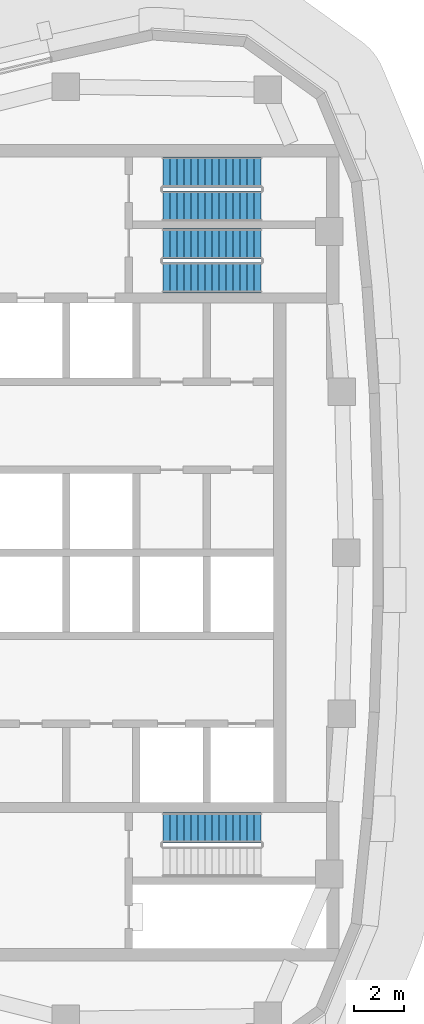
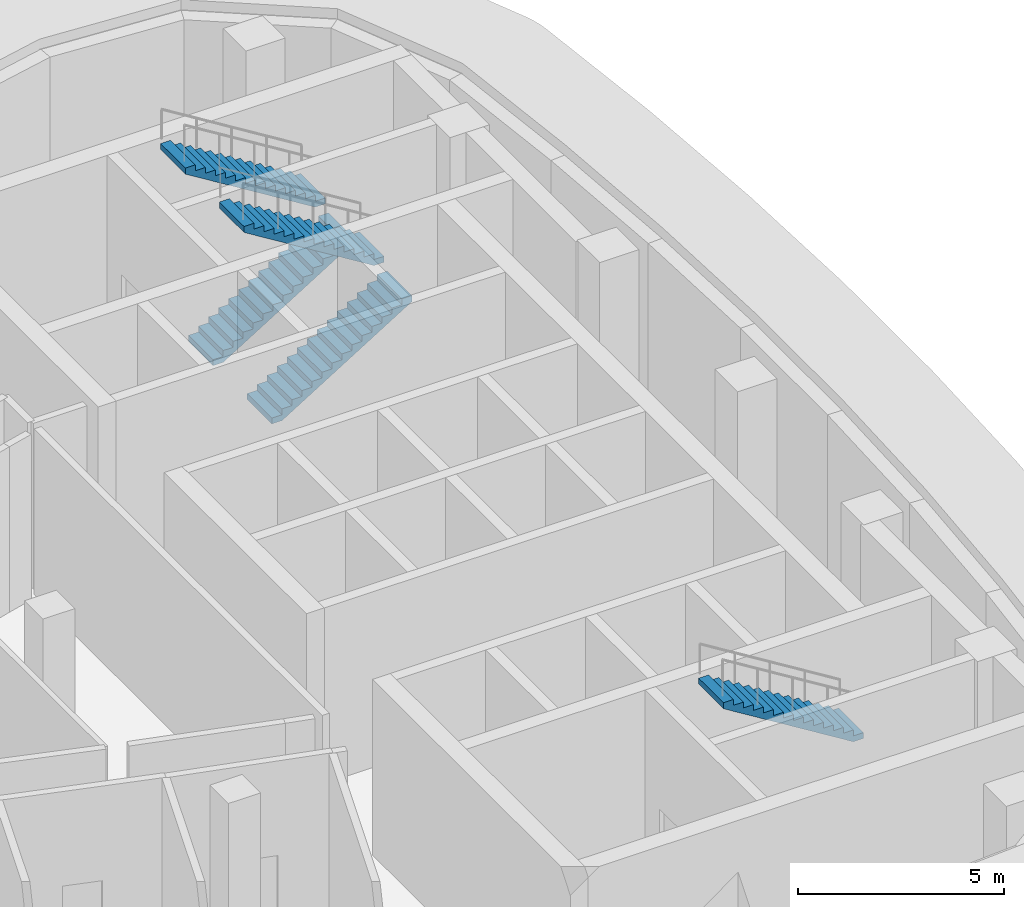
# One storey, part 10 of 14: 5 stair flights, 3 elements without a shape of their own.
"""IFC4 building model written with IfcOpenShell, lengths in metres."""

from ifc_helpers import new_model, si_unit, direction, frame, origin, place, context, subcontext, project, spatial, polyline, outline, extrude, material, type_object, element, aggregate, save


model = new_model("IFC4")

# Units and contexts
model_context = context("Model", 3, precision=1e-05, world=origin(), true_north=direction((0.0, 1.0)))
body_context = subcontext(model_context, "Body", "Model", "MODEL_VIEW")
ifc_project = project(units=[si_unit("LENGTHUNIT", "METRE"), si_unit("AREAUNIT", "SQUARE_METRE"), si_unit("VOLUMEUNIT", "CUBIC_METRE"), si_unit("PLANEANGLEUNIT", "RADIAN"), si_unit("MASSUNIT", "GRAM", prefix="KILO")], contexts=[model_context])

# Site, building, storey
site_placement = place(None, origin())
site = spatial("IfcSite", under=ifc_project, at=site_placement, CompositionType="ELEMENT")
building_placement = place(site_placement, origin())
building = spatial("IfcBuilding", under=site, at=building_placement, Name="Ostrand Prow Hotel Tower", CompositionType="ELEMENT")
storey_placement = place(building_placement, frame((0.0, 0.0, 303.39990234375)))
storey = spatial("IfcBuildingStorey", under=building, at=storey_placement, Name="L77", CompositionType="ELEMENT", Elevation=303.39990234375)

# Stair, stair flights
ifc_material_1 = material(Name="Concrete C40/50", Category="concrete")
stair_type = type_object("IfcStairType", Name="Exit stair 1200 upper zone", PredefinedType="HALF_TURN_STAIR", material=ifc_material_1)
stair_1_placement = place(storey_placement, origin())
stair_1 = element("IfcStair", 1, at=stair_1_placement, inside=storey, type_object=stair_type, Name="L77 ST1C", PredefinedType="HALF_TURN_STAIR")
ifc_material_2 = material(Name="Concrete C40/50", Category="concrete")
stair_flight_type = type_object("IfcStairFlightType", Name="Stair flight 1200 concrete", PredefinedType="STRAIGHT", material=ifc_material_2)
stair_flight_1_placement = place(storey_placement, frame((57.199951171875, 10.949951171875, 0.0), z_axis=(0.0, 0.0, 1.0), x_axis=(1.0, 0.0, 0.0)))
stair_flight_1 = element("IfcStairFlight", 2, at=stair_flight_1_placement, type_object=stair_flight_type, Name="ST1C flight 1", NumberOfRisers=15, NumberOfTreads=14, PredefinedType="STRAIGHT", RiserHeight=0.173333333, TreadLength=0.28, context=body_context, shape_type="SweptSolid", body=[
    extrude(outline(polyline([(0.0, 0.0), (0.0, 0.17333984375), (0.280029296875, 0.17333984375), (0.280029296875, 0.3466796875), (0.56005859375, 0.3466796875), (0.56005859375, 0.52001953125), (0.840087890625, 0.52001953125), (0.840087890625, 0.693359375), (1.1201171875, 0.693359375), (1.1201171875, 0.86669921875), (1.39990234375, 0.86669921875), (1.39990234375, 1.0400390625), (1.679931640625, 1.0400390625), (1.679931640625, 1.21337890625), (1.9599609375, 1.21337890625), (1.9599609375, 1.38671875), (2.239990234375, 1.38671875), (2.239990234375, 1.56005859375), (2.52001953125, 1.56005859375), (2.52001953125, 1.7333984375), (2.800048828125, 1.7333984375), (2.800048828125, 1.90673828125), (3.080078125, 1.90673828125), (3.080078125, 2.080078125), (3.360107421875, 2.080078125), (3.360107421875, 2.25341796875), (3.639892578125, 2.25341796875), (3.639892578125, 2.4267578125), (3.919921875, 2.4267578125), (3.919921875, 2.60009765625), (3.919921875, 2.250244140625), (0.284912109375, 0.0), (0.0, 0.0)])), frame((0.0, 0.60009765625, 0.0), z_axis=(0.0, -1.0, 0.0), x_axis=(1.0, 0.0, 0.0)), (0.0, 0.0, 1.0), 1.199951171875),
])
stair_flight_2_placement = place(storey_placement, frame((61.1201171875, 12.300048828125, 2.60009765625), z_axis=(0.0, 0.0, 1.0), x_axis=(-1.0, 0.0, 0.0)))
stair_flight_2 = element("IfcStairFlight", 3, at=stair_flight_2_placement, type_object=stair_flight_type, Name="ST1C flight 2", NumberOfRisers=15, NumberOfTreads=14, PredefinedType="STRAIGHT", RiserHeight=0.173333333, TreadLength=0.28, context=body_context, shape_type="SweptSolid", body=[
    extrude(outline(polyline([(0.0, 0.0), (0.0, 0.17333984375), (0.280029296875, 0.17333984375), (0.280029296875, 0.3466796875), (0.56005859375, 0.3466796875), (0.56005859375, 0.52001953125), (0.840087890625, 0.52001953125), (0.840087890625, 0.693359375), (1.1201171875, 0.693359375), (1.1201171875, 0.86669921875), (1.39990234375, 0.86669921875), (1.39990234375, 1.0400390625), (1.679931640625, 1.0400390625), (1.679931640625, 1.21337890625), (1.9599609375, 1.21337890625), (1.9599609375, 1.38671875), (2.239990234375, 1.38671875), (2.239990234375, 1.56005859375), (2.52001953125, 1.56005859375), (2.52001953125, 1.7333984375), (2.800048828125, 1.7333984375), (2.800048828125, 1.90673828125), (3.080078125, 1.90673828125), (3.080078125, 2.080078125), (3.360107421875, 2.080078125), (3.360107421875, 2.25341796875), (3.639892578125, 2.25341796875), (3.639892578125, 2.4267578125), (3.919921875, 2.4267578125), (3.919921875, 2.60009765625), (3.919921875, 2.250244140625), (0.284912109375, 0.0), (0.0, 0.0)])), frame((0.0, 0.60009765625, 0.0), z_axis=(0.0, -1.0, 0.0), x_axis=(1.0, 0.0, 0.0)), (0.0, 0.0, 1.0), 1.199951171875),
])
aggregate(stair_1, [stair_flight_1, stair_flight_2])

stair_2_placement = place(storey_placement, origin())
stair_2 = element("IfcStair", 4, at=stair_2_placement, inside=storey, type_object=stair_type, Name="L77 ST3C", PredefinedType="HALF_TURN_STAIR")
stair_flight_3_placement = place(storey_placement, frame((57.199951171875, 13.800048828125, 0.0), z_axis=(0.0, 0.0, 1.0), x_axis=(1.0, 0.0, 0.0)))
stair_flight_3 = element("IfcStairFlight", 5, at=stair_flight_3_placement, type_object=stair_flight_type, Name="ST3C flight 1", NumberOfRisers=15, NumberOfTreads=14, PredefinedType="STRAIGHT", RiserHeight=0.173333333, TreadLength=0.28, context=body_context, shape_type="SweptSolid", body=[
    extrude(outline(polyline([(0.0, 0.0), (0.0, 0.17333984375), (0.280029296875, 0.17333984375), (0.280029296875, 0.3466796875), (0.56005859375, 0.3466796875), (0.56005859375, 0.52001953125), (0.840087890625, 0.52001953125), (0.840087890625, 0.693359375), (1.1201171875, 0.693359375), (1.1201171875, 0.86669921875), (1.39990234375, 0.86669921875), (1.39990234375, 1.0400390625), (1.679931640625, 1.0400390625), (1.679931640625, 1.21337890625), (1.9599609375, 1.21337890625), (1.9599609375, 1.38671875), (2.239990234375, 1.38671875), (2.239990234375, 1.56005859375), (2.52001953125, 1.56005859375), (2.52001953125, 1.7333984375), (2.800048828125, 1.7333984375), (2.800048828125, 1.90673828125), (3.080078125, 1.90673828125), (3.080078125, 2.080078125), (3.360107421875, 2.080078125), (3.360107421875, 2.25341796875), (3.639892578125, 2.25341796875), (3.639892578125, 2.4267578125), (3.919921875, 2.4267578125), (3.919921875, 2.60009765625), (3.919921875, 2.250244140625), (0.284912109375, 0.0), (0.0, 0.0)])), frame((0.0, 0.60009765625, 0.0), z_axis=(0.0, -1.0, 0.0), x_axis=(1.0, 0.0, 0.0)), (0.0, 0.0, 1.0), 1.199951171875),
])
stair_flight_4_placement = place(storey_placement, frame((61.1201171875, 15.14990234375, 2.60009765625), z_axis=(0.0, 0.0, 1.0), x_axis=(-1.0, 0.0, 0.0)))
stair_flight_4 = element("IfcStairFlight", 6, at=stair_flight_4_placement, type_object=stair_flight_type, Name="ST3C flight 2", NumberOfRisers=15, NumberOfTreads=14, PredefinedType="STRAIGHT", RiserHeight=0.173333333, TreadLength=0.28, context=body_context, shape_type="SweptSolid", body=[
    extrude(outline(polyline([(0.0, 0.0), (0.0, 0.17333984375), (0.280029296875, 0.17333984375), (0.280029296875, 0.3466796875), (0.56005859375, 0.3466796875), (0.56005859375, 0.52001953125), (0.840087890625, 0.52001953125), (0.840087890625, 0.693359375), (1.1201171875, 0.693359375), (1.1201171875, 0.86669921875), (1.39990234375, 0.86669921875), (1.39990234375, 1.0400390625), (1.679931640625, 1.0400390625), (1.679931640625, 1.21337890625), (1.9599609375, 1.21337890625), (1.9599609375, 1.38671875), (2.239990234375, 1.38671875), (2.239990234375, 1.56005859375), (2.52001953125, 1.56005859375), (2.52001953125, 1.7333984375), (2.800048828125, 1.7333984375), (2.800048828125, 1.90673828125), (3.080078125, 1.90673828125), (3.080078125, 2.080078125), (3.360107421875, 2.080078125), (3.360107421875, 2.25341796875), (3.639892578125, 2.25341796875), (3.639892578125, 2.4267578125), (3.919921875, 2.4267578125), (3.919921875, 2.60009765625), (3.919921875, 2.250244140625), (0.284912109375, 0.0), (0.0, 0.0)])), frame((0.0, 0.60009765625, 0.0), z_axis=(0.0, -1.0, 0.0), x_axis=(1.0, 0.0, 0.0)), (0.0, 0.0, 1.0), 1.199951171875),
])
aggregate(stair_2, [stair_flight_3, stair_flight_4])

# Stair, stair flight
stair_3_placement = place(storey_placement, origin())
stair_3 = element("IfcStair", 7, at=stair_3_placement, inside=storey, type_object=stair_type, Name="L77 ST2C", PredefinedType="HALF_TURN_STAIR")
stair_flight_5_placement = place(storey_placement, frame((61.1201171875, -10.949951171875, 2.60009765625), z_axis=(0.0, 0.0, 1.0), x_axis=(-1.0, 0.0, 0.0)))
stair_flight_5 = element("IfcStairFlight", 8, at=stair_flight_5_placement, type_object=stair_flight_type, Name="ST2C flight 2", NumberOfRisers=15, NumberOfTreads=14, PredefinedType="STRAIGHT", RiserHeight=0.173333333, TreadLength=0.28, context=body_context, shape_type="SweptSolid", body=[
    extrude(outline(polyline([(0.0, 0.0), (0.0, 0.17333984375), (0.280029296875, 0.17333984375), (0.280029296875, 0.3466796875), (0.56005859375, 0.3466796875), (0.56005859375, 0.52001953125), (0.840087890625, 0.52001953125), (0.840087890625, 0.693359375), (1.1201171875, 0.693359375), (1.1201171875, 0.86669921875), (1.39990234375, 0.86669921875), (1.39990234375, 1.0400390625), (1.679931640625, 1.0400390625), (1.679931640625, 1.21337890625), (1.9599609375, 1.21337890625), (1.9599609375, 1.38671875), (2.239990234375, 1.38671875), (2.239990234375, 1.56005859375), (2.52001953125, 1.56005859375), (2.52001953125, 1.7333984375), (2.800048828125, 1.7333984375), (2.800048828125, 1.90673828125), (3.080078125, 1.90673828125), (3.080078125, 2.080078125), (3.360107421875, 2.080078125), (3.360107421875, 2.25341796875), (3.639892578125, 2.25341796875), (3.639892578125, 2.4267578125), (3.919921875, 2.4267578125), (3.919921875, 2.60009765625), (3.919921875, 2.250244140625), (0.284912109375, 0.0), (0.0, 0.0)])), frame((0.0, 0.60009765625, 0.0), z_axis=(0.0, -1.0, 0.0), x_axis=(1.0, 0.0, 0.0)), (0.0, 0.0, 1.0), 1.199951171875),
])
aggregate(stair_3, [stair_flight_5])

save(model, "model.ifc")
